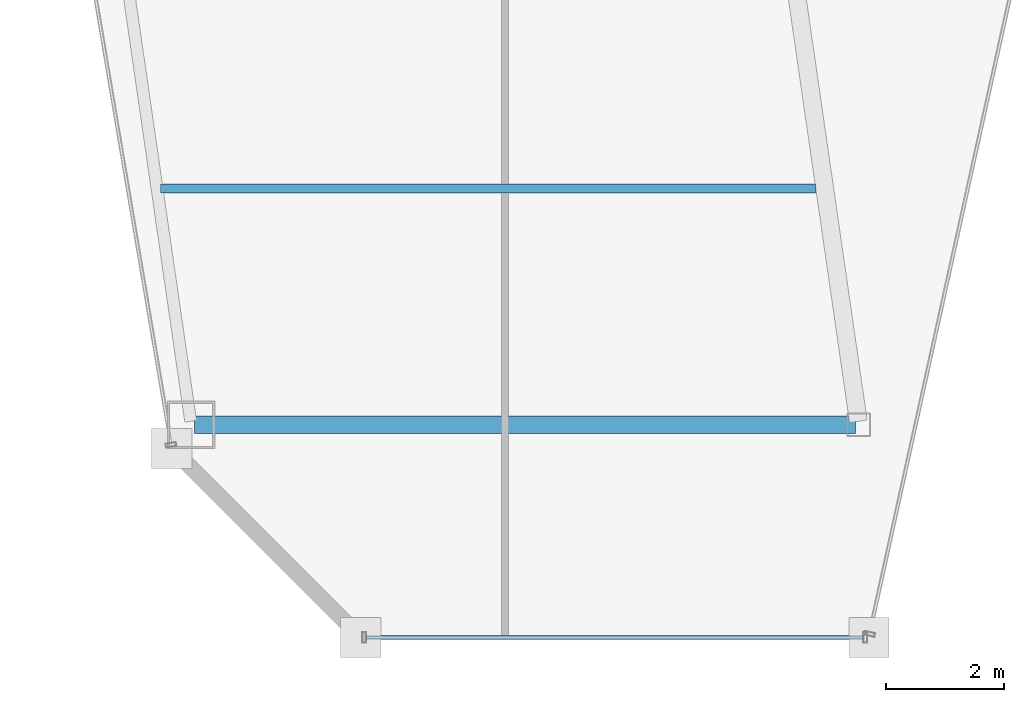
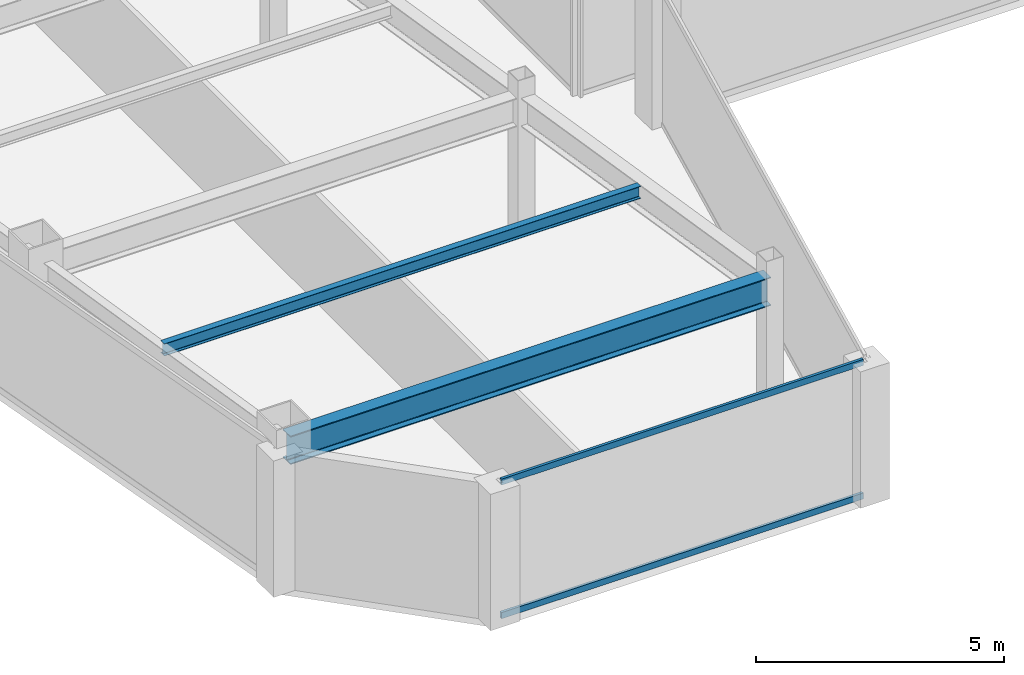
# One storey, part 4 of 34: 2 beams, 2 members, 1 element without a shape of its own.
"""IFC4 building model written with IfcOpenShell, lengths in metres."""

from ifc_helpers import new_model, si_unit, direction, frame, origin, origin_2d, place, context, subcontext, project, spatial, hollow_rectangle, i_section, extrude, material, material_profile, profile_set, type_object, element, aggregate, save


model = new_model("IFC4")

# Units and contexts
model_context = context("Model", 3, precision=1e-05, world=origin(), true_north=direction((0.0, 1.0)))
body_context = subcontext(model_context, "Body", "Model", "MODEL_VIEW")
ifc_project = project(units=[si_unit("LENGTHUNIT", "METRE"), si_unit("AREAUNIT", "SQUARE_METRE"), si_unit("VOLUMEUNIT", "CUBIC_METRE"), si_unit("PLANEANGLEUNIT", "RADIAN"), si_unit("MASSUNIT", "GRAM", prefix="KILO")], contexts=[model_context])

# Site, building, storey
site_placement = place(None, origin())
site = spatial("IfcSite", under=ifc_project, at=site_placement, CompositionType="ELEMENT")
building_placement = place(site_placement, origin())
building = spatial("IfcBuilding", under=site, at=building_placement, Name="Saevonmaru Cultural Tower", CompositionType="ELEMENT")
storey_placement = place(building_placement, frame((0.0, 0.0, 220.800048828125)))
storey = spatial("IfcBuildingStorey", under=building, at=storey_placement, Name="L51", CompositionType="ELEMENT", Elevation=220.800048828125)

# Beams
ifc_material_1 = material(Name="Steel SM355", Category="steel")
ifc_material_profile_1 = material_profile(ifc_material_1, i_section(OverallWidth=0.300048828125, OverallDepth=0.699951171875, WebThickness=0.012939453125, FlangeThickness=0.02392578125, FilletRadius=0.02587890625, at=origin_2d()), Name="H-700x300x13x24")
ifc_profile_set_1 = profile_set([ifc_material_profile_1], Name="Steel SM355")
beam_type_1 = type_object("IfcBeamType", Name="BM-G-H700", PredefinedType="BEAM", material=ifc_profile_set_1)
beam_1_placement = place(storey_placement, frame((10.68798828125, 16.0, 3.0), z_axis=(1.0, 0.0, 0.0), x_axis=(0.0, 1.0, 0.0)))
element("IfcBeam", 1, at=beam_1_placement, inside=storey, type_object=beam_type_1, Name="L51 West Wing Transverse Girder 1", PredefinedType="BEAM", context=body_context, shape_type="SweptSolid", body=[
    extrude(i_section(OverallWidth=0.300048828125, OverallDepth=0.699951171875, WebThickness=0.012939453125, FlangeThickness=0.02392578125, FilletRadius=0.02587890625, at=origin_2d()), origin(), (0.0, 0.0, 1.0), 11.179931640625),
])
ifc_material_profile_2 = material_profile(ifc_material_1, i_section(OverallWidth=0.14990234375, OverallDepth=0.300048828125, WebThickness=0.006591796875, FlangeThickness=0.009033203125, FilletRadius=0.012939453125, at=origin_2d()), Name="H-300x150x6.5x9")
ifc_profile_set_2 = profile_set([ifc_material_profile_2], Name="Steel SM355")
beam_type_2 = type_object("IfcBeamType", Name="BM-J-H300", PredefinedType="JOIST", material=ifc_profile_set_2)
beam_2_placement = place(storey_placement, frame((10.110107421875, 20.0, 3.199951171875), z_axis=(1.0, 0.0, 0.0), x_axis=(0.0, 1.0, 0.0)))
element("IfcBeam", 2, at=beam_2_placement, inside=storey, type_object=beam_type_2, Name="L51 West Wing Floor Joist 1", PredefinedType="JOIST", context=body_context, shape_type="SweptSolid", body=[
    extrude(i_section(OverallWidth=0.14990234375, OverallDepth=0.300048828125, WebThickness=0.006591796875, FlangeThickness=0.009033203125, FilletRadius=0.012939453125, at=origin_2d()), origin(), (0.0, 0.0, 1.0), 11.081787109375),
])

# Curtain wall, members
ifc_material_2 = material(Name="Satin Bronze Anodised Aluminium", Category="aluminium")
curtain_wall_type = type_object("IfcCurtainWallType", Name="CW-TYP-B", PredefinedType="NOTDEFINED", material=ifc_material_2)
curtain_wall_placement = place(storey_placement, origin())
curtain_wall = element("IfcCurtainWall", 3, at=curtain_wall_placement, inside=storey, type_object=curtain_wall_type, Name="L51 Unitised Curtain Wall E2", PredefinedType="NOTDEFINED")
ifc_material_profile_3 = material_profile(ifc_material_2, hollow_rectangle(XDim=0.06494140625, YDim=0.14990234375, WallThickness=0.00390625, at=origin_2d()), Name="ALU-TRAN-150x65x4")
ifc_profile_set_3 = profile_set([ifc_material_profile_3], Name="Satin Bronze Anodised Aluminium")
member_type = type_object("IfcMemberType", Name="TR-CW-150x65", PredefinedType="USERDEFINED", material=ifc_profile_set_3)
member_1_placement = place(storey_placement, frame((13.59033203125, 12.39990234375, 0.032470703125), z_axis=(1.0, 0.0, 0.0), x_axis=(0.0, 1.0, 0.0)))
member_1 = element("IfcMember", 4, at=member_1_placement, type_object=member_type, Name="CW-TW-L51-E2 transom 1.1", ObjectType="TRANSOM", PredefinedType="USERDEFINED", context=body_context, shape_type="SweptSolid", body=[
    extrude(hollow_rectangle(XDim=0.06494140625, YDim=0.14990234375, WallThickness=0.00390625, at=origin_2d()), origin(), (0.0, 0.0, 1.0), 8.4150390625),
])
member_2_placement = place(storey_placement, frame((13.59033203125, 12.39990234375, 3.3173828125), z_axis=(1.0, 0.0, 0.0), x_axis=(0.0, 1.0, 0.0)))
member_2 = element("IfcMember", 5, at=member_2_placement, type_object=member_type, Name="CW-TW-L51-E2 transom 1.2", ObjectType="TRANSOM", PredefinedType="USERDEFINED", context=body_context, shape_type="SweptSolid", body=[
    extrude(hollow_rectangle(XDim=0.06494140625, YDim=0.14990234375, WallThickness=0.00390625, at=origin_2d()), origin(), (0.0, 0.0, 1.0), 8.4150390625),
])
aggregate(curtain_wall, [member_1, member_2])

save(model, "model.ifc")
